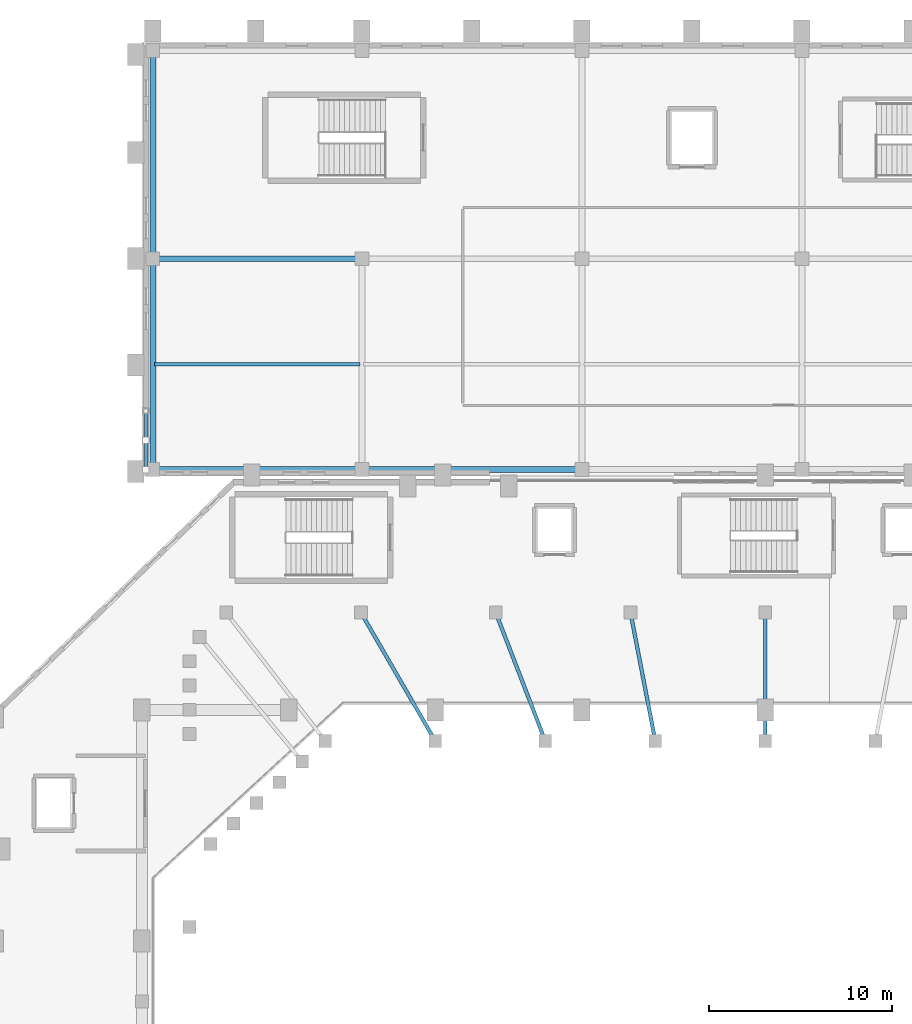
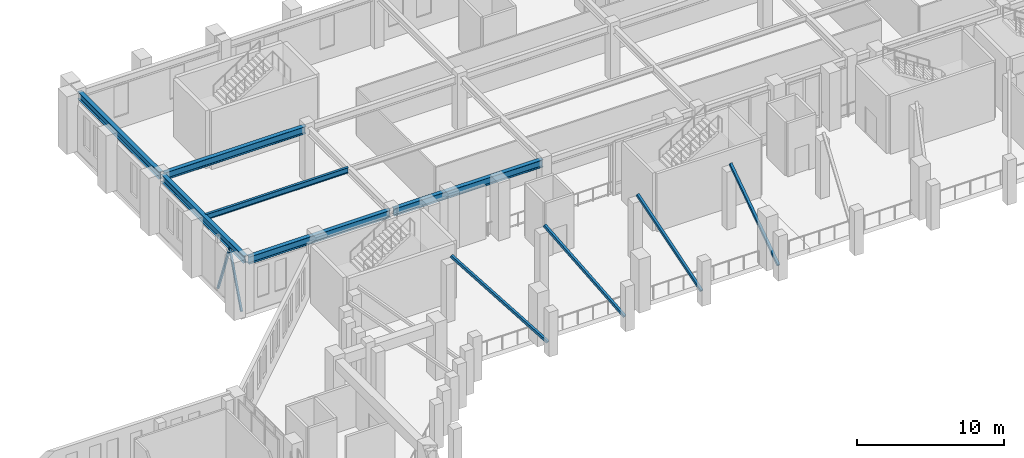
# One storey, part 32 of 126: 6 beams, 6 members.
"""IFC4 building model written with IfcOpenShell, lengths in metres."""

from ifc_helpers import new_model, si_unit, derived_unit, direction, frame, origin, origin_2d, place, context, subcontext, project, spatial, hollow_rectangle, i_section, extrude, material, material_profile, profile_set, type_object, element, save


model = new_model("IFC4")

# Units and contexts
model_context = context("Model", 3, precision=1e-05, world=origin(), true_north=direction((0.0, 1.0)))
body_context = subcontext(model_context, "Body", "Model", "MODEL_VIEW")
ifc_project = project(units=[si_unit("LENGTHUNIT", "METRE"), si_unit("AREAUNIT", "SQUARE_METRE"), si_unit("VOLUMEUNIT", "CUBIC_METRE"), si_unit("PLANEANGLEUNIT", "RADIAN"), si_unit("MASSUNIT", "GRAM", prefix="KILO"), derived_unit("THERMALTRANSMITTANCEUNIT", [(si_unit("MASSUNIT", "GRAM", prefix="KILO"), 1), (si_unit("TIMEUNIT", "SECOND"), -3), (si_unit("THERMODYNAMICTEMPERATUREUNIT", "KELVIN"), -1)])], contexts=[model_context])

# Site, building, storey
site_placement = place(None, origin())
site = spatial("IfcSite", under=ifc_project, at=site_placement, CompositionType="ELEMENT")
building_placement = place(site_placement, origin())
building = spatial("IfcBuilding", under=site, at=building_placement, Name="Valcora Ridge Arena", CompositionType="ELEMENT")
storey_placement = place(building_placement, frame((0.0, 0.0, 11.39990234375)))
storey = spatial("IfcBuildingStorey", under=building, at=storey_placement, Name="L02", CompositionType="ELEMENT", Elevation=11.39990234375)

# Beams
ifc_material_1 = material(Name="Steel ASTM A572 Grade 50", Category="steel")
ifc_material_profile_1 = material_profile(ifc_material_1, i_section(OverallWidth=0.324951171875, OverallDepth=0.612060546875, WebThickness=0.0126953125, FlangeThickness=0.01904296875, FilletRadius=0.01806640625, at=origin_2d()), Name="W24X104")
ifc_profile_set_1 = profile_set([ifc_material_profile_1], Name="Steel ASTM A572 Grade 50")
beam_type_1 = type_object("IfcBeamType", Name="TY-BEAM-G-W24X104-X", PredefinedType="BEAM", material=ifc_profile_set_1)
beam_1_placement = place(storey_placement, frame((24.739990234375, 108.699951171875, 4.14404296875), z_axis=(1.0, 0.0, 0.0), x_axis=(0.0, 1.0, 0.0)))
element("IfcBeam", 1, at=beam_1_placement, inside=storey, type_object=beam_type_1, Name="G-W24X104-X BEM-G-W24X104-X-0066", PredefinedType="BEAM", context=body_context, shape_type="SweptSolid", body=[
    extrude(i_section(OverallWidth=0.324951171875, OverallDepth=0.612060546875, WebThickness=0.0126953125, FlangeThickness=0.01904296875, FilletRadius=0.01806640625, at=origin_2d()), origin(), (0.0, 0.0, 1.0), 11.1201171875),
])
beam_2_placement = place(storey_placement, frame((36.139892578125, 108.699951171875, 4.14404296875), z_axis=(1.0, 0.0, 0.0), x_axis=(0.0, 1.0, 0.0)))
element("IfcBeam", 2, at=beam_2_placement, inside=storey, type_object=beam_type_1, Name="G-W24X104-X BEM-G-W24X104-X-0067", PredefinedType="BEAM", context=body_context, shape_type="SweptSolid", body=[
    extrude(i_section(OverallWidth=0.324951171875, OverallDepth=0.612060546875, WebThickness=0.0126953125, FlangeThickness=0.01904296875, FilletRadius=0.01806640625, at=origin_2d()), origin(), (0.0, 0.0, 1.0), 11.72021484375),
])
beam_3_placement = place(storey_placement, frame((24.739990234375, 120.199951171875, 4.14404296875), z_axis=(1.0, 0.0, 0.0), x_axis=(0.0, 1.0, 0.0)))
element("IfcBeam", 3, at=beam_3_placement, inside=storey, type_object=beam_type_1, Name="G-W24X104-X BEM-G-W24X104-X-0080", PredefinedType="BEAM", context=body_context, shape_type="SweptSolid", body=[
    extrude(i_section(OverallWidth=0.324951171875, OverallDepth=0.612060546875, WebThickness=0.0126953125, FlangeThickness=0.01904296875, FilletRadius=0.01806640625, at=origin_2d()), origin(), (0.0, 0.0, 1.0), 11.1201171875),
])
ifc_material_profile_2 = material_profile(ifc_material_1, i_section(OverallWidth=0.324951171875, OverallDepth=0.612060546875, WebThickness=0.0126953125, FlangeThickness=0.01904296875, FilletRadius=0.01806640625, at=origin_2d()), Name="W24X104")
ifc_profile_set_2 = profile_set([ifc_material_profile_2], Name="Steel ASTM A572 Grade 50")
beam_type_2 = type_object("IfcBeamType", Name="TY-BEAM-G-W24X104-Y", PredefinedType="BEAM", material=ifc_profile_set_2)
beam_4_placement = place(storey_placement, frame((24.60009765625, 108.840087890625, 4.14404296875), z_axis=(0.0, 1.0, 0.0), x_axis=(-1.0, 0.0, 0.0)))
element("IfcBeam", 4, at=beam_4_placement, inside=storey, type_object=beam_type_2, Name="G-W24X104-Y BEM-G-W24X104-Y-0073", PredefinedType="BEAM", context=body_context, shape_type="SweptSolid", body=[
    extrude(i_section(OverallWidth=0.324951171875, OverallDepth=0.612060546875, WebThickness=0.0126953125, FlangeThickness=0.01904296875, FilletRadius=0.01806640625, at=origin_2d()), origin(), (0.0, 0.0, 1.0), 11.219970703125),
])
beam_5_placement = place(storey_placement, frame((24.60009765625, 120.340087890625, 4.14404296875), z_axis=(0.0, 1.0, 0.0), x_axis=(-1.0, 0.0, 0.0)))
element("IfcBeam", 5, at=beam_5_placement, inside=storey, type_object=beam_type_2, Name="G-W24X104-Y BEM-G-W24X104-Y-0074", PredefinedType="BEAM", context=body_context, shape_type="SweptSolid", body=[
    extrude(i_section(OverallWidth=0.324951171875, OverallDepth=0.612060546875, WebThickness=0.0126953125, FlangeThickness=0.01904296875, FilletRadius=0.01806640625, at=origin_2d()), origin(), (0.0, 0.0, 1.0), 11.06982421875),
])
ifc_material_profile_3 = material_profile(ifc_material_1, i_section(OverallWidth=0.18994140625, OverallDepth=0.45703125, WebThickness=0.009033203125, FlangeThickness=0.014404296875, FilletRadius=0.014892578125, at=origin_2d()), Name="W18X50")
ifc_profile_set_3 = profile_set([ifc_material_profile_3], Name="Steel ASTM A572 Grade 50")
beam_type_3 = type_object("IfcBeamType", Name="TY-BEAM-J-W18X50", PredefinedType="JOIST", material=ifc_profile_set_3)
beam_6_placement = place(storey_placement, frame((24.699951171875, 114.449951171875, 4.2216796875), z_axis=(1.0, 0.0, 0.0), x_axis=(0.0, 1.0, 0.0)))
element("IfcBeam", 6, at=beam_6_placement, inside=storey, type_object=beam_type_3, Name="J-W18X50 BEM-J-W18X50-0053", PredefinedType="JOIST", context=body_context, shape_type="SweptSolid", body=[
    extrude(i_section(OverallWidth=0.18994140625, OverallDepth=0.45703125, WebThickness=0.009033203125, FlangeThickness=0.014404296875, FilletRadius=0.014892578125, at=origin_2d()), origin(), (0.0, 0.0, 1.0), 11.199951171875),
])

# Members
ifc_material_2 = material(Name="Steel ASTM A500 Grade C", Category="steel")
ifc_material_profile_4 = material_profile(ifc_material_2, hollow_rectangle(XDim=0.14990234375, YDim=0.14990234375, WallThickness=0.010009765625, at=origin_2d()), Name="HSS150X150X10")
ifc_profile_set_4 = profile_set([ifc_material_profile_4], Name="Steel ASTM A500 Grade C")
member_type_1 = type_object("IfcMemberType", Name="TY-MEMBER-CBF-150A", PredefinedType="BRACE", material=ifc_profile_set_4)
member_1_placement = place(storey_placement, frame((24.219970703125, 108.699951171875, 0.02001953125), z_axis=(0.0, 0.350900470976, 0.93641276127), x_axis=(-1.0, 0.0, 0.0)))
element("IfcMember", 7, at=member_1_placement, inside=storey, type_object=member_type_1, Name="CBF-150A Diagonal Brace", PredefinedType="BRACE", context=body_context, shape_type="SweptSolid", body=[
    extrude(hollow_rectangle(XDim=0.14990234375, YDim=0.14990234375, WallThickness=0.010009765625, at=origin_2d()), origin(), (0.0, 0.0, 1.0), 4.56005859375),
])
ifc_material_profile_5 = material_profile(ifc_material_2, hollow_rectangle(XDim=0.14990234375, YDim=0.14990234375, WallThickness=0.010009765625, at=origin_2d()), Name="HSS150X150X10")
ifc_profile_set_5 = profile_set([ifc_material_profile_5], Name="Steel ASTM A500 Grade C")
member_type_2 = type_object("IfcMemberType", Name="TY-MEMBER-CBF-150B", PredefinedType="BRACE", material=ifc_profile_set_5)
member_2_placement = place(storey_placement, frame((24.219970703125, 111.89990234375, 0.02001953125), z_axis=(0.0, -0.350853522186, 0.936430352973), x_axis=(1.0, 0.0, 0.0)))
element("IfcMember", 8, at=member_2_placement, inside=storey, type_object=member_type_2, Name="CBF-150B Diagonal Brace", PredefinedType="BRACE", context=body_context, shape_type="SweptSolid", body=[
    extrude(hollow_rectangle(XDim=0.14990234375, YDim=0.14990234375, WallThickness=0.010009765625, at=origin_2d()), origin(), (0.0, 0.0, 1.0), 4.559814453125),
])
ifc_material_profile_6 = material_profile(ifc_material_2, hollow_rectangle(XDim=0.199951171875, YDim=0.199951171875, WallThickness=0.012451171875, at=origin_2d()), Name="HSS200X200X12")
ifc_profile_set_6 = profile_set([ifc_material_profile_6], Name="Steel ASTM A500 Grade C")
member_type_3 = type_object("IfcMemberType", Name="TY-MEMBER-RKRUD-200", PredefinedType="BRACE", material=ifc_profile_set_6)
member_3_placement = place(storey_placement, frame((58.0, 94.130859375, 0.8583984375), z_axis=(0.0, 0.82473049335, 0.565525961685), x_axis=(-1.0, 0.0, 0.0)))
element("IfcMember", 9, at=member_3_placement, inside=storey, type_object=member_type_3, Name="RKRUD-200 Raker Diagonal Brace", PredefinedType="BRACE", context=body_context, shape_type="SweptSolid", body=[
    extrude(hollow_rectangle(XDim=0.199951171875, YDim=0.199951171875, WallThickness=0.012451171875, at=origin_2d()), origin(), (0.0, 0.0, 1.0), 7.927734375),
])
member_4_placement = place(storey_placement, frame((51.9560546875, 94.128173828125, 0.8564453125), z_axis=(-0.157073737809, 0.814480053106, 0.55852491796), x_axis=(-0.981907279334, -0.189362337308, 0.0)))
element("IfcMember", 10, at=member_4_placement, inside=storey, type_object=member_type_3, Name="RKRUD-200 Raker Diagonal Brace", PredefinedType="BRACE", context=body_context, shape_type="SweptSolid", body=[
    extrude(hollow_rectangle(XDim=0.199951171875, YDim=0.199951171875, WallThickness=0.012451171875, at=origin_2d()), origin(), (0.0, 0.0, 1.0), 8.0341796875),
])
member_5_placement = place(storey_placement, frame((45.9150390625, 94.1201171875, 0.85107421875), z_axis=(-0.303123322723, 0.785932698856, 0.538911907541), x_axis=(-0.933010485699, -0.359849181708, 0.0)))
element("IfcMember", 11, at=member_5_placement, inside=storey, type_object=member_type_3, Name="RKRUD-200 Raker Diagonal Brace", PredefinedType="BRACE", context=body_context, shape_type="SweptSolid", body=[
    extrude(hollow_rectangle(XDim=0.199951171875, YDim=0.199951171875, WallThickness=0.012451171875, at=origin_2d()), origin(), (0.0, 0.0, 1.0), 8.346435546875),
])
member_6_placement = place(storey_placement, frame((39.87939453125, 94.1083984375, 0.843017578125), z_axis=(-0.430647784433, 0.744338023667, 0.510395329413), x_axis=(-0.865569833072, -0.50078824275, 0.0)))
element("IfcMember", 12, at=member_6_placement, inside=storey, type_object=member_type_3, Name="RKRUD-200 Raker Diagonal Brace", PredefinedType="BRACE", context=body_context, shape_type="SweptSolid", body=[
    extrude(hollow_rectangle(XDim=0.199951171875, YDim=0.199951171875, WallThickness=0.012451171875, at=origin_2d()), origin(), (0.0, 0.0, 1.0), 8.844482421875),
])

save(model, "model.ifc")
